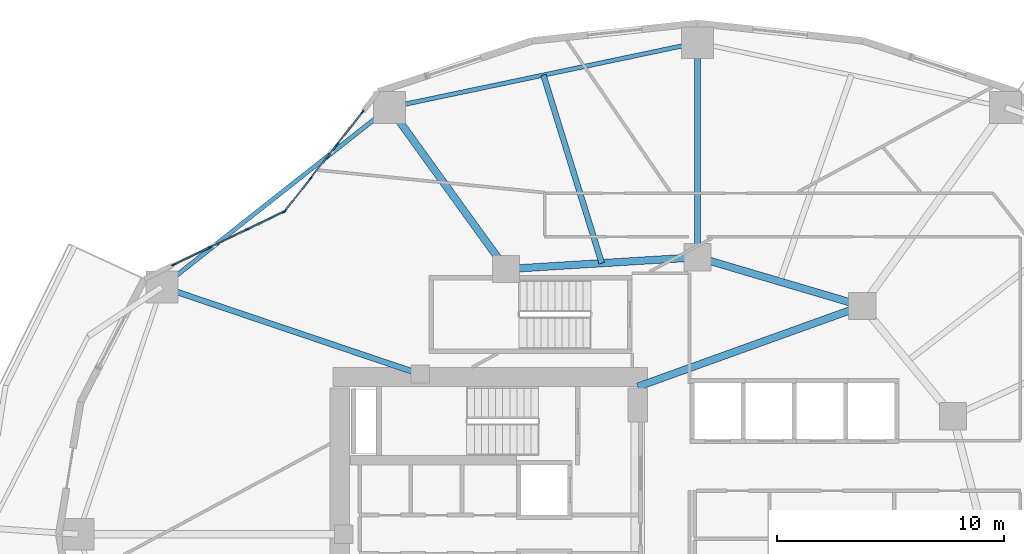
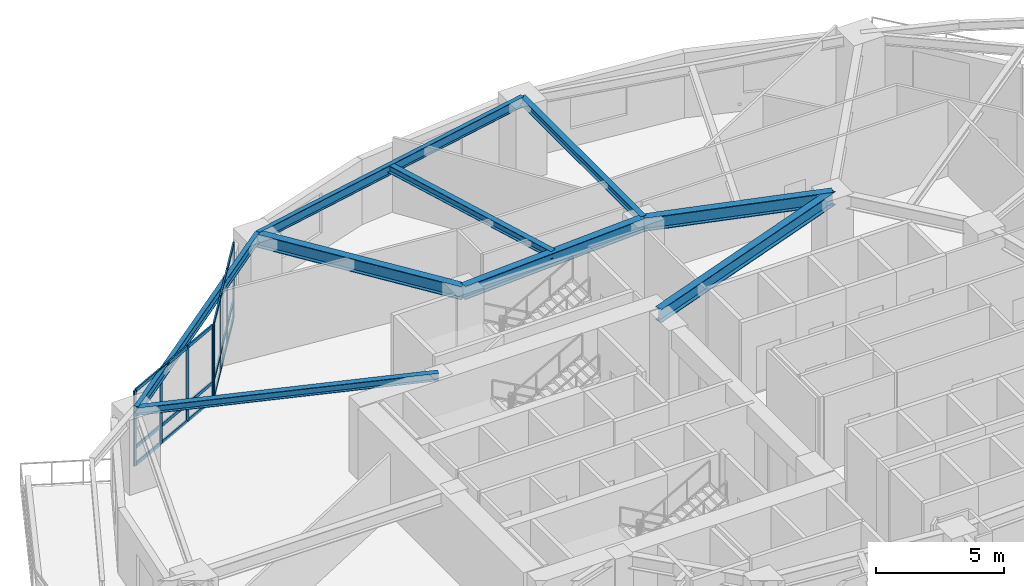
# One storey, part 4 of 19: 26 members, 9 beams, 2 elements without a shape of their own.
"""IFC4 building model written with IfcOpenShell, lengths in metres."""

import ifcopenshell
import ifcopenshell.guid

model = None  # the IFC model being written
_history = None  # IfcOwnerHistory: only IFC2X3 demands one
_inside = {}  # id of a spatial element -> (the spatial element, [elements in it])
_under = {}  # id of a project, library or spatial element -> (it, [spatial elements below it])
_declared = {}  # id of a project -> (the project, [libraries it declares])
_typed = {}  # id of a type object -> (the type object, [elements of that type])
_made_of = {}  # id of a material, layer set ... -> (it, [elements and type objects made of it])


def new_model(schema):
    """Start an empty IFC model of exactly this schema.

    Asked for "IFC4X3", IfcOpenShell would pick the latest addendum, in which some entities
    have other attributes; the version numbers below select the first issue.
    IFC2X3 requires an IfcOwnerHistory on every rooted entity: one is made here for all.
    """
    global model, _history
    if schema == "IFC4X3":
        model = ifcopenshell.file(schema_version=(4, 3, 0, 0))
    else:
        model = ifcopenshell.file(schema=schema)
    _inside.clear()
    _under.clear()
    _declared.clear()
    _typed.clear()
    _made_of.clear()
    _history = None
    if model.schema == "IFC2X3":
        org = make("IfcOrganization", Name="unknown")
        user = make(
            "IfcPersonAndOrganization",
            ThePerson=make("IfcPerson", FamilyName="unknown"),
            TheOrganization=org,
        )
        app = make(
            "IfcApplication",
            ApplicationDeveloper=org,
            Version="unknown",
            ApplicationFullName="unknown",
            ApplicationIdentifier="unknown",
        )
        _history = make(
            "IfcOwnerHistory",
            OwningUser=user,
            OwningApplication=app,
            ChangeAction="ADDED",
            CreationDate=0,
        )
    return model


def make(cls, **values):
    """One entity of the class cls with the attributes given. An attribute that is None is left unset."""
    return model.create_entity(
        cls, **{name: value for name, value in values.items() if value is not None}
    )


def rooted(cls, **values):
    """An entity with a GlobalId (a new one), such as an element, a storey or a relation."""
    return make(cls, GlobalId=ifcopenshell.guid.new(), OwnerHistory=_history, **values)


def si_unit(unit_type, name, prefix=None):
    """IfcSIUnit, for example si_unit("LENGTHUNIT", "METRE", prefix="MILLI")."""
    return make("IfcSIUnit", UnitType=unit_type, Prefix=prefix, Name=name)


def assignment(units):
    """IfcUnitAssignment: the units of a project."""
    return None if units is None else make("IfcUnitAssignment", Units=units)


def point(xyz):
    """IfcCartesianPoint."""
    return None if xyz is None else make("IfcCartesianPoint", Coordinates=xyz)


def direction(xyz):
    """IfcDirection."""
    return None if xyz is None else make("IfcDirection", DirectionRatios=xyz)


def frame(location, z_axis=None, x_axis=None):
    """IfcAxis2Placement3D, a coordinate frame: its origin and axes. An axis left out is left unset."""
    return make(
        "IfcAxis2Placement3D",
        Location=point(location),
        Axis=direction(z_axis),
        RefDirection=direction(x_axis),
    )


def frame_2d(location, x_axis=None):
    """IfcAxis2Placement2D, a coordinate frame in the plane: its origin and x axis."""
    return make(
        "IfcAxis2Placement2D", Location=point(location), RefDirection=direction(x_axis)
    )


def origin():
    """The frame at (0, 0, 0) with its axes left unset."""
    return frame((0.0, 0.0, 0.0))


def origin_2d():
    """The frame at (0, 0) in the plane with its x axis left unset."""
    return frame_2d((0.0, 0.0))


def place(relative_to, where):
    """IfcLocalPlacement: puts the frame where relative to a parent placement (None: the world)."""
    return make(
        "IfcLocalPlacement", PlacementRelTo=relative_to, RelativePlacement=where
    )


def context(
    kind, dimensions, precision=None, world=None, true_north=None, identifier=None
):
    """IfcGeometricRepresentationContext, for example the 3D "Model" context."""
    return make(
        "IfcGeometricRepresentationContext",
        ContextIdentifier=identifier,
        ContextType=kind,
        CoordinateSpaceDimension=dimensions,
        Precision=precision,
        WorldCoordinateSystem=world,
        TrueNorth=true_north,
    )


def subcontext(parent, identifier, kind, view, scale=None):
    """IfcGeometricRepresentationSubContext, for example "Body" below "Model"."""
    return make(
        "IfcGeometricRepresentationSubContext",
        ContextIdentifier=identifier,
        ContextType=kind,
        ParentContext=parent,
        TargetScale=scale,
        TargetView=view,
    )


def project(units=None, contexts=None):
    """IfcProject with its units and contexts."""
    return rooted(
        "IfcProject",
        Name="project",
        RepresentationContexts=contexts,
        UnitsInContext=assignment(units),
    )


def spatial(cls, under=None, at=None, **own):
    """A site, building, storey or space (cls), placed at a placement, below another one or the project."""
    s = rooted(cls, ObjectPlacement=at, **own)
    if under is not None:
        _under.setdefault(under.id(), (under, []))[1].append(s)
    return s


def profile(cls, at=None, kind="AREA", **sizes):
    """A parametric profile (cls). Its sizes go by their IFC names, for example OverallWidth=200.0."""
    return make(cls, ProfileType=kind, Position=at, **sizes)


def rectangle(**sizes):
    """IfcRectangleProfileDef."""
    return profile("IfcRectangleProfileDef", **sizes)


def i_section(**sizes):
    """IfcIShapeProfileDef."""
    return profile("IfcIShapeProfileDef", **sizes)


def extrude(swept, where, along, depth):
    """IfcExtrudedAreaSolid: the profile swept, set in the frame where, extruded along a direction by depth."""
    return make(
        "IfcExtrudedAreaSolid",
        SweptArea=swept,
        Position=where,
        ExtrudedDirection=direction(along),
        Depth=depth,
    )


def shape(context_of_items, identifier, shape_type, items):
    """IfcShapeRepresentation: the items that make up one representation, for example the "Body"."""
    return make(
        "IfcShapeRepresentation",
        ContextOfItems=context_of_items,
        RepresentationIdentifier=identifier,
        RepresentationType=shape_type,
        Items=items,
    )


def material(Name=None, Category=None):
    """IfcMaterial."""
    return make("IfcMaterial", Name=Name, Category=Category)


def layer(
    of_material, thickness, ventilated=None, Name=None, Category=None, Priority=None
):
    """IfcMaterialLayer: one layer of a wall or slab, of a material (None: an air gap)."""
    return make(
        "IfcMaterialLayer",
        Material=of_material,
        LayerThickness=thickness,
        IsVentilated=ventilated,
        Name=Name,
        Category=Category,
        Priority=Priority,
    )


def layer_set(layers, Name=None):
    """IfcMaterialLayerSet."""
    return make("IfcMaterialLayerSet", MaterialLayers=layers, LayerSetName=Name)


def material_profile(
    of_material, cross_section, Name=None, Category=None, Priority=None
):
    """IfcMaterialProfile: a cross section and its material."""
    return make(
        "IfcMaterialProfile",
        Name=Name,
        Material=of_material,
        Profile=cross_section,
        Priority=Priority,
        Category=Category,
    )


def profile_set(profiles, Name=None, composite=None):
    """IfcMaterialProfileSet."""
    return make(
        "IfcMaterialProfileSet",
        Name=Name,
        MaterialProfiles=profiles,
        CompositeProfile=composite,
    )


def made_of(thing, what):
    """Note that an element or type object is made of a material, layer set ...; save() writes the relation."""
    if what is not None:
        _made_of.setdefault(what.id(), (what, []))[1].append(thing)
    return thing


def type_object(cls, material=None, **own):
    """A type object (cls), such as IfcWallType, which elements share."""
    return made_of(rooted(cls, **own), material)


def element(
    cls,
    number,
    at=None,
    inside=None,
    cuts=None,
    type_object=None,
    material=None,
    context=None,
    identifier="Body",
    shape_type=None,
    held_by="IfcProductDefinitionShape",
    body=None,
    shapes=None,
    **own,
):
    """One element of the class cls, such as IfcWall. Its Tag is "e" and its number.

    at: its placement. inside: the storey or other place that contains it. cuts: it is an
    opening in that element (IfcRelVoidsElement). A single representation is given by context,
    identifier, shape_type and body (its items); several are given by shapes. held_by: the class
    of the entity that holds the representations. save() writes the other relations.
    """
    e = rooted(cls, Tag="e%d" % number, ObjectPlacement=at, **own)
    if body is not None:
        shapes = [shape(context, identifier, shape_type, body)]
    if shapes is not None:
        e.Representation = make(held_by, Representations=shapes)
    if inside is not None:
        _inside.setdefault(inside.id(), (inside, []))[1].append(e)
    if cuts is not None:
        rooted(
            "IfcRelVoidsElement", RelatingBuildingElement=cuts, RelatedOpeningElement=e
        )
    if type_object is not None:
        _typed.setdefault(type_object.id(), (type_object, []))[1].append(e)
    return made_of(e, material)


def aggregate(whole, parts):
    """IfcRelAggregates: a whole, such as a stair, and the parts it consists of."""
    return rooted("IfcRelAggregates", RelatingObject=whole, RelatedObjects=parts)


def save(model, path):
    """Write the relations noted so far, then the file.

    IfcRelAggregates (storeys below a building ...), IfcRelContainedInSpatialStructure (elements
    in a storey), IfcRelDefinesByType, IfcRelAssociatesMaterial and IfcRelDeclares: one each for
    every whole, place, type object, material and project.
    """
    for whole, parts in _under.values():
        aggregate(whole, parts)
    for where, things in _inside.values():
        rooted(
            "IfcRelContainedInSpatialStructure",
            RelatedElements=things,
            RelatingStructure=where,
        )
    for kind, things in _typed.values():
        rooted("IfcRelDefinesByType", RelatedObjects=things, RelatingType=kind)
    for what, things in _made_of.values():
        rooted("IfcRelAssociatesMaterial", RelatedObjects=things, RelatingMaterial=what)
    for by, libraries in _declared.values():
        rooted("IfcRelDeclares", RelatingContext=by, RelatedDefinitions=libraries)
    model.write(path)


model = new_model("IFC4")

# Units and contexts
model_context = context("Model", 3, precision=1e-05, world=origin(), true_north=direction((0.0, 1.0)))
body_context = subcontext(model_context, "Body", "Model", "MODEL_VIEW")
ifc_project = project(units=[si_unit("LENGTHUNIT", "METRE"), si_unit("AREAUNIT", "SQUARE_METRE"), si_unit("VOLUMEUNIT", "CUBIC_METRE"), si_unit("PLANEANGLEUNIT", "RADIAN"), si_unit("MASSUNIT", "GRAM", prefix="KILO")], contexts=[model_context])

# Site, building, storey
site_placement = place(None, origin())
site = spatial("IfcSite", under=ifc_project, at=site_placement, CompositionType="ELEMENT")
building_placement = place(site_placement, origin())
building = spatial("IfcBuilding", under=site, at=building_placement, Name="Kolvaren Gate Tower and Convention Centre", CompositionType="ELEMENT")
storey_placement = place(building_placement, frame((0.0, 0.0, 38.050048828125)))
storey = spatial("IfcBuildingStorey", under=building, at=storey_placement, Name="L08", CompositionType="ELEMENT", Elevation=38.050048828125)

# Curtain wall, members
ifc_material_1 = material(Name="Anodized Architectural Aluminium Alloy 6063-T6", Category="aluminium")
ifc_layer = layer(ifc_material_1, 0.159912109375)
ifc_layer_set = layer_set([ifc_layer], Name="Anodized Architectural Aluminium Alloy 6063-T6")
curtain_wall_type = type_object("IfcCurtainWallType", Name="CW-OFF-UNIT", PredefinedType="NOTDEFINED", material=ifc_layer_set)
curtain_wall_1_placement = place(storey_placement, origin())
curtain_wall_1 = element("IfcCurtainWall", 1, at=curtain_wall_1_placement, inside=storey, type_object=curtain_wall_type, Name="Tower L08 Unitised Curtain Wall CW-OFF-UNIT Bay 08", PredefinedType="NOTDEFINED")
ifc_material_profile_1 = material_profile(ifc_material_1, rectangle(XDim=0.06494140625, YDim=0.159912109375, at=origin_2d()), Name="CW-MEM-MUL-160")
ifc_profile_set_1 = profile_set([ifc_material_profile_1], Name="Anodized Architectural Aluminium Alloy 6063-T6")
member_type_1 = type_object("IfcMemberType", Name="CW-MEM-MUL-160", PredefinedType="MULLION", material=ifc_profile_set_1)
member_1_placement = place(storey_placement, frame((11.954833984375, 41.23828125, 0.0), z_axis=(0.0, 0.0, 1.0), x_axis=(-0.787416755422, 0.616421003276, 0.0)))
member_1 = element("IfcMember", 2, at=member_1_placement, type_object=member_type_1, Name="CW-02 mullion 1", PredefinedType="MULLION", context=body_context, shape_type="SweptSolid", body=[
    extrude(rectangle(XDim=0.06494140625, YDim=0.159912109375, at=origin_2d()), origin(), (0.0, 0.0, 1.0), 3.570068359375),
])
member_2_placement = place(storey_placement, frame((13.08935546875, 42.68798828125, 0.0), z_axis=(0.0, 0.0, 1.0), x_axis=(-0.787416755422, 0.616421003276, 0.0)))
member_2 = element("IfcMember", 3, at=member_2_placement, type_object=member_type_1, Name="CW-02 mullion 2", PredefinedType="MULLION", context=body_context, shape_type="SweptSolid", body=[
    extrude(rectangle(XDim=0.06494140625, YDim=0.159912109375, at=origin_2d()), origin(), (0.0, 0.0, 1.0), 3.570068359375),
])
member_3_placement = place(storey_placement, frame((14.244140625, 44.1630859375, 0.0), z_axis=(0.0, 0.0, 1.0), x_axis=(-0.787416755422, 0.616421003276, 0.0)))
member_3 = element("IfcMember", 4, at=member_3_placement, type_object=member_type_1, Name="CW-02 mullion 3", PredefinedType="MULLION", context=body_context, shape_type="SweptSolid", body=[
    extrude(rectangle(XDim=0.06494140625, YDim=0.159912109375, at=origin_2d()), origin(), (0.0, 0.0, 1.0), 3.570068359375),
])
member_4_placement = place(storey_placement, frame((15.37890625, 45.612548828125, 0.0), z_axis=(0.0, 0.0, 1.0), x_axis=(-0.787416755422, 0.616421003276, 0.0)))
member_4 = element("IfcMember", 5, at=member_4_placement, type_object=member_type_1, Name="CW-02 mullion 4", PredefinedType="MULLION", context=body_context, shape_type="SweptSolid", body=[
    extrude(rectangle(XDim=0.06494140625, YDim=0.159912109375, at=origin_2d()), origin(), (0.0, 0.0, 1.0), 3.570068359375),
])

curtain_wall_2_placement = place(storey_placement, origin())
curtain_wall_2 = element("IfcCurtainWall", 6, at=curtain_wall_2_placement, inside=storey, type_object=curtain_wall_type, Name="Tower L08 Unitised Curtain Wall CW-OFF-UNIT Bay 09", PredefinedType="NOTDEFINED")
member_5_placement = place(storey_placement, frame((7.0419921875, 38.862060546875, 0.0), z_axis=(0.0, 0.0, 1.0), x_axis=(-0.433056703319, 0.901366679942, 0.0)))
member_5 = element("IfcMember", 7, at=member_5_placement, type_object=member_type_1, Name="CW-02 mullion 1", PredefinedType="MULLION", context=body_context, shape_type="SweptSolid", body=[
    extrude(rectangle(XDim=0.06494140625, YDim=0.159912109375, at=origin_2d()), origin(), (0.0, 0.0, 1.0), 3.570068359375),
])
member_6_placement = place(storey_placement, frame((8.6533203125, 39.63623046875, 0.0), z_axis=(0.0, 0.0, 1.0), x_axis=(-0.433056703319, 0.901366679942, 0.0)))
member_6 = element("IfcMember", 8, at=member_6_placement, type_object=member_type_1, Name="CW-02 mullion 2", PredefinedType="MULLION", context=body_context, shape_type="SweptSolid", body=[
    extrude(rectangle(XDim=0.06494140625, YDim=0.159912109375, at=origin_2d()), origin(), (0.0, 0.0, 1.0), 3.570068359375),
])
member_7_placement = place(storey_placement, frame((10.2939453125, 40.424560546875, 0.0), z_axis=(0.0, 0.0, 1.0), x_axis=(-0.433056703319, 0.901366679942, 0.0)))
member_7 = element("IfcMember", 9, at=member_7_placement, type_object=member_type_1, Name="CW-02 mullion 3", PredefinedType="MULLION", context=body_context, shape_type="SweptSolid", body=[
    extrude(rectangle(XDim=0.06494140625, YDim=0.159912109375, at=origin_2d()), origin(), (0.0, 0.0, 1.0), 3.570068359375),
])
member_8_placement = place(storey_placement, frame((11.905517578125, 41.19873046875, 0.0), z_axis=(0.0, 0.0, 1.0), x_axis=(-0.433056703319, 0.901366679942, 0.0)))
member_8 = element("IfcMember", 10, at=member_8_placement, type_object=member_type_1, Name="CW-02 mullion 4", PredefinedType="MULLION", context=body_context, shape_type="SweptSolid", body=[
    extrude(rectangle(XDim=0.06494140625, YDim=0.159912109375, at=origin_2d()), origin(), (0.0, 0.0, 1.0), 3.570068359375),
])

# Member
ifc_material_profile_2 = material_profile(ifc_material_1, rectangle(XDim=0.06494140625, YDim=0.159912109375, at=origin_2d()), Name="CW-MEM-TRN-160")
ifc_profile_set_2 = profile_set([ifc_material_profile_2], Name="Anodized Architectural Aluminium Alloy 6063-T6")
member_type_2 = type_object("IfcMemberType", Name="CW-MEM-TRN-160", PredefinedType="USERDEFINED", material=ifc_profile_set_2)
member_9_placement = place(storey_placement, frame((11.974853515625, 41.263916015625, 0.032470703125), z_axis=(0.616326796425, 0.787490495186, 0.0), x_axis=(-0.787490495186, 0.616326796425, 0.0)))
member_9 = element("IfcMember", 11, at=member_9_placement, type_object=member_type_2, Name="CW-02 transom 1.1", ObjectType="TRANSOM", PredefinedType="USERDEFINED", context=body_context, shape_type="SweptSolid", body=[
    extrude(rectangle(XDim=0.06494140625, YDim=0.159912109375, at=origin_2d()), origin(), (0.0, 0.0, 1.0), 1.77587890625),
])

member_10_placement = place(storey_placement, frame((11.974853515625, 41.263916015625, 0.849853515625), z_axis=(0.616326796425, 0.787490495186, 0.0), x_axis=(-0.787490495186, 0.616326796425, 0.0)))
member_10 = element("IfcMember", 12, at=member_10_placement, type_object=member_type_2, Name="CW-02 transom 1.2", ObjectType="TRANSOM", PredefinedType="USERDEFINED", context=body_context, shape_type="SweptSolid", body=[
    extrude(rectangle(XDim=0.06494140625, YDim=0.159912109375, at=origin_2d()), origin(), (0.0, 0.0, 1.0), 1.77587890625),
])

member_11_placement = place(storey_placement, frame((11.974853515625, 41.263916015625, 3.537353515625), z_axis=(0.616326796425, 0.787490495186, 0.0), x_axis=(-0.787490495186, 0.616326796425, 0.0)))
member_11 = element("IfcMember", 13, at=member_11_placement, type_object=member_type_2, Name="CW-02 transom 1.3", ObjectType="TRANSOM", PredefinedType="USERDEFINED", context=body_context, shape_type="SweptSolid", body=[
    extrude(rectangle(XDim=0.06494140625, YDim=0.159912109375, at=origin_2d()), origin(), (0.0, 0.0, 1.0), 1.77587890625),
])

member_12_placement = place(storey_placement, frame((13.109619140625, 42.71337890625, 0.032470703125), z_axis=(0.616311901963, 0.78750215206, 0.0), x_axis=(-0.78750215206, 0.616311901963, 0.0)))
member_12 = element("IfcMember", 14, at=member_12_placement, type_object=member_type_2, Name="CW-02 transom 2.1", ObjectType="TRANSOM", PredefinedType="USERDEFINED", context=body_context, shape_type="SweptSolid", body=[
    extrude(rectangle(XDim=0.06494140625, YDim=0.159912109375, at=origin_2d()), origin(), (0.0, 0.0, 1.0), 1.808349609375),
])

member_13_placement = place(storey_placement, frame((13.109619140625, 42.71337890625, 0.849853515625), z_axis=(0.616311901963, 0.78750215206, 0.0), x_axis=(-0.78750215206, 0.616311901963, 0.0)))
member_13 = element("IfcMember", 15, at=member_13_placement, type_object=member_type_2, Name="CW-02 transom 2.2", ObjectType="TRANSOM", PredefinedType="USERDEFINED", context=body_context, shape_type="SweptSolid", body=[
    extrude(rectangle(XDim=0.06494140625, YDim=0.159912109375, at=origin_2d()), origin(), (0.0, 0.0, 1.0), 1.808349609375),
])

member_14_placement = place(storey_placement, frame((13.109619140625, 42.71337890625, 3.537353515625), z_axis=(0.616311901963, 0.78750215206, 0.0), x_axis=(-0.78750215206, 0.616311901963, 0.0)))
member_14 = element("IfcMember", 16, at=member_14_placement, type_object=member_type_2, Name="CW-02 transom 2.3", ObjectType="TRANSOM", PredefinedType="USERDEFINED", context=body_context, shape_type="SweptSolid", body=[
    extrude(rectangle(XDim=0.06494140625, YDim=0.159912109375, at=origin_2d()), origin(), (0.0, 0.0, 1.0), 1.808349609375),
])

member_15_placement = place(storey_placement, frame((14.26416015625, 44.1884765625, 0.032470703125), z_axis=(0.61641204316, 0.787423769674, 0.0), x_axis=(-0.787423769674, 0.61641204316, 0.0)))
member_15 = element("IfcMember", 17, at=member_15_placement, type_object=member_type_2, Name="CW-02 transom 3.1", ObjectType="TRANSOM", PredefinedType="USERDEFINED", context=body_context, shape_type="SweptSolid", body=[
    extrude(rectangle(XDim=0.06494140625, YDim=0.159912109375, at=origin_2d()), origin(), (0.0, 0.0, 1.0), 1.77587890625),
])

member_16_placement = place(storey_placement, frame((14.26416015625, 44.1884765625, 0.849853515625), z_axis=(0.61641204316, 0.787423769674, 0.0), x_axis=(-0.787423769674, 0.61641204316, 0.0)))
member_16 = element("IfcMember", 18, at=member_16_placement, type_object=member_type_2, Name="CW-02 transom 3.2", ObjectType="TRANSOM", PredefinedType="USERDEFINED", context=body_context, shape_type="SweptSolid", body=[
    extrude(rectangle(XDim=0.06494140625, YDim=0.159912109375, at=origin_2d()), origin(), (0.0, 0.0, 1.0), 1.77587890625),
])

member_17_placement = place(storey_placement, frame((14.26416015625, 44.1884765625, 3.537353515625), z_axis=(0.61641204316, 0.787423769674, 0.0), x_axis=(-0.787423769674, 0.61641204316, 0.0)))
member_17 = element("IfcMember", 19, at=member_17_placement, type_object=member_type_2, Name="CW-02 transom 3.3", ObjectType="TRANSOM", PredefinedType="USERDEFINED", context=body_context, shape_type="SweptSolid", body=[
    extrude(rectangle(XDim=0.06494140625, YDim=0.159912109375, at=origin_2d()), origin(), (0.0, 0.0, 1.0), 1.77587890625),
])

aggregate(curtain_wall_1, [member_1, member_2, member_3, member_4, member_9, member_10, member_11, member_12, member_13, member_14, member_15, member_16, member_17])

member_18_placement = place(storey_placement, frame((7.0712890625, 38.876220703125, 0.032470703125), z_axis=(0.901346061138, 0.433099616798, 0.0), x_axis=(-0.433099616798, 0.901346061138, 0.0)))
member_18 = element("IfcMember", 20, at=member_18_placement, type_object=member_type_2, Name="CW-02 transom 1.1", ObjectType="TRANSOM", PredefinedType="USERDEFINED", context=body_context, shape_type="SweptSolid", body=[
    extrude(rectangle(XDim=0.06494140625, YDim=0.159912109375, at=origin_2d()), origin(), (0.0, 0.0, 1.0), 1.72265625),
])

member_19_placement = place(storey_placement, frame((7.0712890625, 38.876220703125, 0.849853515625), z_axis=(0.901346061138, 0.433099616798, 0.0), x_axis=(-0.433099616798, 0.901346061138, 0.0)))
member_19 = element("IfcMember", 21, at=member_19_placement, type_object=member_type_2, Name="CW-02 transom 1.2", ObjectType="TRANSOM", PredefinedType="USERDEFINED", context=body_context, shape_type="SweptSolid", body=[
    extrude(rectangle(XDim=0.06494140625, YDim=0.159912109375, at=origin_2d()), origin(), (0.0, 0.0, 1.0), 1.72265625),
])

member_20_placement = place(storey_placement, frame((7.0712890625, 38.876220703125, 3.537353515625), z_axis=(0.901346061138, 0.433099616798, 0.0), x_axis=(-0.433099616798, 0.901346061138, 0.0)))
member_20 = element("IfcMember", 22, at=member_20_placement, type_object=member_type_2, Name="CW-02 transom 1.3", ObjectType="TRANSOM", PredefinedType="USERDEFINED", context=body_context, shape_type="SweptSolid", body=[
    extrude(rectangle(XDim=0.06494140625, YDim=0.159912109375, at=origin_2d()), origin(), (0.0, 0.0, 1.0), 1.72265625),
])

member_21_placement = place(storey_placement, frame((8.6826171875, 39.650390625, 0.032470703125), z_axis=(0.901407995871, 0.4329706976, 0.0), x_axis=(-0.4329706976, 0.901407995871, 0.0)))
member_21 = element("IfcMember", 23, at=member_21_placement, type_object=member_type_2, Name="CW-02 transom 2.1", ObjectType="TRANSOM", PredefinedType="USERDEFINED", context=body_context, shape_type="SweptSolid", body=[
    extrude(rectangle(XDim=0.06494140625, YDim=0.159912109375, at=origin_2d()), origin(), (0.0, 0.0, 1.0), 1.75537109375),
])

member_22_placement = place(storey_placement, frame((8.6826171875, 39.650390625, 0.849853515625), z_axis=(0.901407995871, 0.4329706976, 0.0), x_axis=(-0.4329706976, 0.901407995871, 0.0)))
member_22 = element("IfcMember", 24, at=member_22_placement, type_object=member_type_2, Name="CW-02 transom 2.2", ObjectType="TRANSOM", PredefinedType="USERDEFINED", context=body_context, shape_type="SweptSolid", body=[
    extrude(rectangle(XDim=0.06494140625, YDim=0.159912109375, at=origin_2d()), origin(), (0.0, 0.0, 1.0), 1.75537109375),
])

member_23_placement = place(storey_placement, frame((8.6826171875, 39.650390625, 3.537353515625), z_axis=(0.901407995871, 0.4329706976, 0.0), x_axis=(-0.4329706976, 0.901407995871, 0.0)))
member_23 = element("IfcMember", 25, at=member_23_placement, type_object=member_type_2, Name="CW-02 transom 2.3", ObjectType="TRANSOM", PredefinedType="USERDEFINED", context=body_context, shape_type="SweptSolid", body=[
    extrude(rectangle(XDim=0.06494140625, YDim=0.159912109375, at=origin_2d()), origin(), (0.0, 0.0, 1.0), 1.75537109375),
])

member_24_placement = place(storey_placement, frame((10.3232421875, 40.438720703125, 0.032470703125), z_axis=(0.901427946986, 0.43292915863, 0.0), x_axis=(-0.43292915863, 0.901427946986, 0.0)))
member_24 = element("IfcMember", 26, at=member_24_placement, type_object=member_type_2, Name="CW-02 transom 3.1", ObjectType="TRANSOM", PredefinedType="USERDEFINED", context=body_context, shape_type="SweptSolid", body=[
    extrude(rectangle(XDim=0.06494140625, YDim=0.159912109375, at=origin_2d()), origin(), (0.0, 0.0, 1.0), 1.722900390625),
])

member_25_placement = place(storey_placement, frame((10.3232421875, 40.438720703125, 0.849853515625), z_axis=(0.901427946986, 0.43292915863, 0.0), x_axis=(-0.43292915863, 0.901427946986, 0.0)))
member_25 = element("IfcMember", 27, at=member_25_placement, type_object=member_type_2, Name="CW-02 transom 3.2", ObjectType="TRANSOM", PredefinedType="USERDEFINED", context=body_context, shape_type="SweptSolid", body=[
    extrude(rectangle(XDim=0.06494140625, YDim=0.159912109375, at=origin_2d()), origin(), (0.0, 0.0, 1.0), 1.722900390625),
])

member_26_placement = place(storey_placement, frame((10.3232421875, 40.438720703125, 3.537353515625), z_axis=(0.901427946986, 0.43292915863, 0.0), x_axis=(-0.43292915863, 0.901427946986, 0.0)))
member_26 = element("IfcMember", 28, at=member_26_placement, type_object=member_type_2, Name="CW-02 transom 3.3", ObjectType="TRANSOM", PredefinedType="USERDEFINED", context=body_context, shape_type="SweptSolid", body=[
    extrude(rectangle(XDim=0.06494140625, YDim=0.159912109375, at=origin_2d()), origin(), (0.0, 0.0, 1.0), 1.722900390625),
])

aggregate(curtain_wall_2, [member_5, member_6, member_7, member_8, member_18, member_19, member_20, member_21, member_22, member_23, member_24, member_25, member_26])

# Beams
ifc_material_2 = material(Name="Structural steel ASTM A992 Grade 345 MPa", Category="steel")
ifc_material_profile_3 = material_profile(ifc_material_2, i_section(OverallWidth=0.327880859375, OverallDepth=0.6279296875, WebThickness=0.0166015625, FlangeThickness=0.027587890625, at=origin_2d()), Name="W610X217")
ifc_profile_set_3 = profile_set([ifc_material_profile_3], Name="Structural steel ASTM A992 Grade 345 MPa")
beam_type_1 = type_object("IfcBeamType", Name="STR-BM-W610X217", PredefinedType="BEAM", material=ifc_profile_set_3)
beam_1_placement = place(storey_placement, frame((37.381591796875, 37.054931640625, 3.255859375), z_axis=(-0.958980837827, 0.283470902706, 0.0), x_axis=(-0.283470902706, -0.958980837827, 0.0)))
element("IfcBeam", 29, at=beam_1_placement, inside=storey, type_object=beam_type_1, Name="Tower L08 Primary Ring Girder G-03", PredefinedType="BEAM", context=body_context, shape_type="SweptSolid", body=[
    extrude(i_section(OverallWidth=0.327880859375, OverallDepth=0.6279296875, WebThickness=0.0166015625, FlangeThickness=0.027587890625, at=origin_2d()), origin(), (0.0, 0.0, 1.0), 7.56689453125),
])
beam_2_placement = place(storey_placement, frame((30.125, 39.199951171875, 3.255859375), z_axis=(-0.998078258568, -0.06196603726, 0.0), x_axis=(0.06196603726, -0.998078258568, 0.0)))
element("IfcBeam", 30, at=beam_2_placement, inside=storey, type_object=beam_type_1, Name="Tower L08 Primary Ring Girder G-04", PredefinedType="BEAM", context=body_context, shape_type="SweptSolid", body=[
    extrude(i_section(OverallWidth=0.327880859375, OverallDepth=0.6279296875, WebThickness=0.0166015625, FlangeThickness=0.027587890625, at=origin_2d()), origin(), (0.0, 0.0, 1.0), 8.443115234375),
])
beam_3_placement = place(storey_placement, frame((27.5, 33.5, 3.255859375), z_axis=(0.940961479908, 0.338513653093, 0.0), x_axis=(-0.338513653093, 0.940961479908, 0.0)))
element("IfcBeam", 31, at=beam_3_placement, inside=storey, type_object=beam_type_1, Name="Tower L08 Primary Ring Girder G-10", PredefinedType="BEAM", context=body_context, shape_type="SweptSolid", body=[
    extrude(i_section(OverallWidth=0.327880859375, OverallDepth=0.6279296875, WebThickness=0.0166015625, FlangeThickness=0.027587890625, at=origin_2d()), origin(), (0.0, 0.0, 1.0), 10.501708984375),
])
beam_4_placement = place(storey_placement, frame((21.697998046875, 38.6767578125, 3.255859375), z_axis=(-0.585208283095, 0.810883015852, 0.0), x_axis=(-0.810883015852, -0.585208283095, 0.0)))
element("IfcBeam", 32, at=beam_4_placement, inside=storey, type_object=beam_type_1, Name="Tower L08 Radial Floor Girder RB-05", PredefinedType="BEAM", context=body_context, shape_type="SweptSolid", body=[
    extrude(i_section(OverallWidth=0.327880859375, OverallDepth=0.6279296875, WebThickness=0.0166015625, FlangeThickness=0.027587890625, at=origin_2d()), origin(), (0.0, 0.0, 1.0), 8.780029296875),
])
ifc_material_profile_4 = material_profile(ifc_material_2, i_section(OverallWidth=0.2548828125, OverallDepth=0.35693359375, WebThickness=0.010498046875, FlangeThickness=0.018310546875, at=origin_2d()), Name="W360X101")
ifc_profile_set_4 = profile_set([ifc_material_profile_4], Name="Structural steel ASTM A992 Grade 345 MPa")
beam_type_2 = type_object("IfcBeamType", Name="STR-JS-W360X101", PredefinedType="JOIST", material=ifc_profile_set_4)
beam_5_placement = place(storey_placement, frame((30.125, 39.199951171875, 3.391357421875), z_axis=(0.0, 1.0, 0.0), x_axis=(-1.0, 0.0, 0.0)))
element("IfcBeam", 33, at=beam_5_placement, inside=storey, type_object=beam_type_2, Name="Tower L08 Radial Floor Girder RB-04", PredefinedType="JOIST", context=body_context, shape_type="SweptSolid", body=[
    extrude(i_section(OverallWidth=0.2548828125, OverallDepth=0.35693359375, WebThickness=0.010498046875, FlangeThickness=0.018310546875, at=origin_2d()), origin(), (0.0, 0.0, 1.0), 9.449951171875),
])
beam_6_placement = place(storey_placement, frame((17.9140625, 34.050048828125, 3.391357421875), z_axis=(-0.947373842609, 0.320129352512, 0.0), x_axis=(-0.320129352512, -0.947373842609, 0.0)))
element("IfcBeam", 34, at=beam_6_placement, inside=storey, type_object=beam_type_2, Name="Tower L08 Radial Floor Girder RB-06", PredefinedType="JOIST", context=body_context, shape_type="SweptSolid", body=[
    extrude(i_section(OverallWidth=0.2548828125, OverallDepth=0.35693359375, WebThickness=0.010498046875, FlangeThickness=0.018310546875, at=origin_2d()), origin(), (0.0, 0.0, 1.0), 12.006103515625),
])
beam_7_placement = place(storey_placement, frame((25.91162109375, 38.938232421875, 3.391357421875), z_axis=(-0.296205333134, 0.955124285433, 0.0), x_axis=(-0.955124285433, -0.296205333134, 0.0)))
element("IfcBeam", 35, at=beam_7_placement, inside=storey, type_object=beam_type_2, Name="Tower L08 Secondary Composite Floor Joist J-04.1", PredefinedType="JOIST", context=body_context, shape_type="SweptSolid", body=[
    extrude(i_section(OverallWidth=0.2548828125, OverallDepth=0.35693359375, WebThickness=0.010498046875, FlangeThickness=0.018310546875, at=origin_2d()), origin(), (0.0, 0.0, 1.0), 8.674072265625),
])
ifc_material_profile_5 = material_profile(ifc_material_2, i_section(OverallWidth=0.194091796875, OverallDepth=0.468994140625, WebThickness=0.0126953125, FlangeThickness=0.0205078125, at=origin_2d()), Name="W460X106")
ifc_profile_set_5 = profile_set([ifc_material_profile_5], Name="Structural steel ASTM A992 Grade 345 MPa")
beam_type_3 = type_object("IfcBeamType", Name="STR-SP-W460X106", PredefinedType="SPANDREL", material=ifc_profile_set_5)
beam_8_placement = place(storey_placement, frame((30.125, 48.64990234375, 3.33544921875), z_axis=(-0.978583407863, -0.205850707685, 0.0), x_axis=(0.205850707685, -0.978583407863, 0.0)))
element("IfcBeam", 36, at=beam_8_placement, inside=storey, type_object=beam_type_3, Name="Tower L08 Perimeter Spandrel Beam SP-04", PredefinedType="SPANDREL", context=body_context, shape_type="SweptSolid", body=[
    extrude(i_section(OverallWidth=0.194091796875, OverallDepth=0.468994140625, WebThickness=0.0126953125, FlangeThickness=0.0205078125, at=origin_2d()), origin(), (0.0, 0.0, 1.0), 13.862060546875),
])
beam_9_placement = place(storey_placement, frame((16.559814453125, 45.79638671875, 3.33544921875), z_axis=(-0.785176498861, -0.619272044933, 0.0), x_axis=(0.619272044933, -0.785176498861, 0.0)))
element("IfcBeam", 37, at=beam_9_placement, inside=storey, type_object=beam_type_3, Name="Tower L08 Perimeter Spandrel Beam SP-05", PredefinedType="SPANDREL", context=body_context, shape_type="SweptSolid", body=[
    extrude(i_section(OverallWidth=0.194091796875, OverallDepth=0.468994140625, WebThickness=0.0126953125, FlangeThickness=0.0205078125, at=origin_2d()), origin(), (0.0, 0.0, 1.0), 12.761474609375),
])

save(model, "model.ifc")
